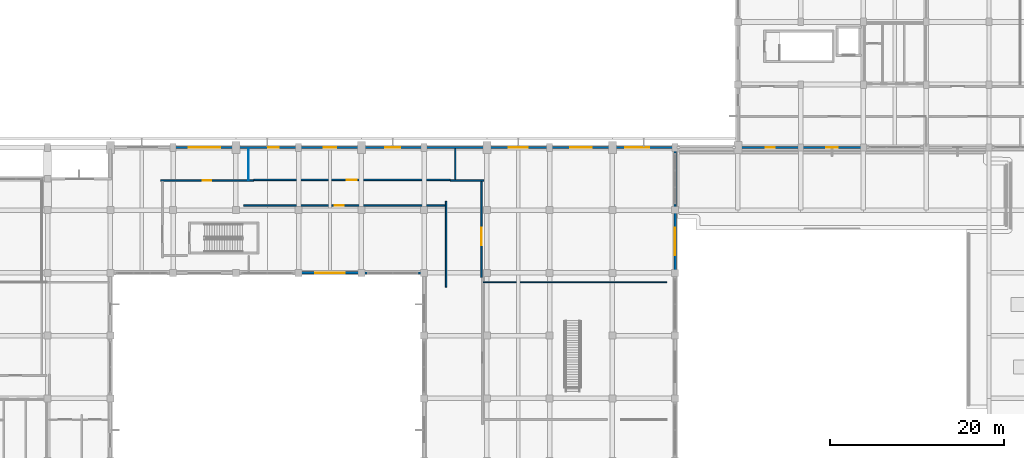
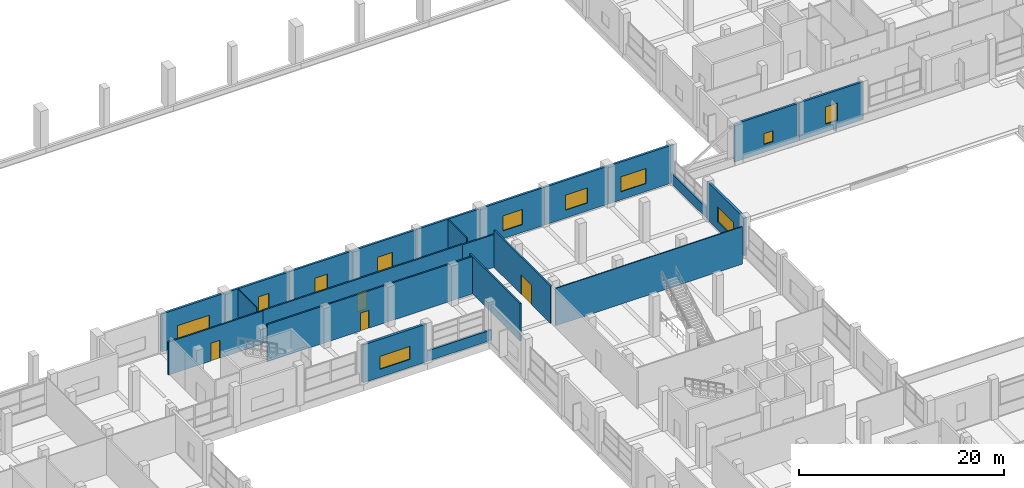
# One storey, part 126 of 140: 23 walls, 11 windows, 4 doors, 15 openings.
"""IFC4 building model written with IfcOpenShell, lengths in metres."""

from ifc_helpers import new_model, si_unit, direction, frame, frame_2d, origin, place, context, subcontext, project, spatial, rectangle, extrude, material, layer, layer_set, type_object, element, fill, save


model = new_model("IFC4")

# Units and contexts
model_context = context("Model", 3, precision=1e-05, world=origin(), true_north=direction((0.0, 1.0)))
body_context = subcontext(model_context, "Body", "Model", "MODEL_VIEW")
ifc_project = project(units=[si_unit("LENGTHUNIT", "METRE"), si_unit("AREAUNIT", "SQUARE_METRE"), si_unit("VOLUMEUNIT", "CUBIC_METRE"), si_unit("PLANEANGLEUNIT", "RADIAN"), si_unit("MASSUNIT", "GRAM", prefix="KILO")], contexts=[model_context])

# Site, building, storey
site_placement = place(None, origin())
site = spatial("IfcSite", under=ifc_project, at=site_placement, CompositionType="ELEMENT")
building_placement = place(site_placement, origin())
building = spatial("IfcBuilding", under=site, at=building_placement, Name="Seraya Terrace Polytechnic", CompositionType="ELEMENT")
storey_placement = place(building_placement, frame((0.0, 0.0, 9.60009765625)))
storey = spatial("IfcBuildingStorey", under=building, at=storey_placement, Name="L02", CompositionType="ELEMENT", Elevation=9.60009765625)

# Wall, opening, window
ifc_material_1 = material(Name="Precast concrete C40/50", Category="concrete")
ifc_layer_1 = layer(ifc_material_1, 0.280029296875, Name="EW-02")
ifc_layer_set_1 = layer_set([ifc_layer_1], Name="Precast concrete C40/50")
wall_type_1 = type_object("IfcWallType", Name="EW-02", PredefinedType="SOLIDWALL", material=ifc_layer_set_1)
wall_1_placement = place(storey_placement, frame((108.0, 72.0, 0.0), z_axis=(0.0, 0.0, 1.0), x_axis=(0.0, -1.0, 0.0)))
wall_1 = element("IfcWall", 1, at=wall_1_placement, inside=storey, type_object=wall_type_1, Name="Exterior structural wall EW-02 L02", PredefinedType="SOLIDWALL", context=body_context, shape_type="SweptSolid", body=[
    extrude(rectangle(XDim=7.199951171875, YDim=0.280029296875, at=frame_2d((3.60009765625, 0.0))), origin(), (0.0, 0.0, 1.0), 4.52001953125),
])
opening_1_placement = place(wall_1_placement, frame((2.02490234375, 0.0, 0.949951171875)))
opening_1 = element("IfcOpeningElement", 2, at=opening_1_placement, cuts=wall_1, Name="Opening WN-34", PredefinedType="OPENING", context=body_context, shape_type="SweptSolid", body=[
    extrude(rectangle(XDim=3.14990234375, YDim=1.800048828125, at=frame_2d((1.574951171875, 0.89990234375))), frame((0.0, 0.15185546875, 0.0), z_axis=(0.0, -1.0, 0.0), x_axis=(1.0, 0.0, 0.0)), (0.0, 0.0, 1.0), 0.303955078125),
])
ifc_material_2 = material(Name="Laminated solar-control Low-E double glazing", Category="glass")
window_type_1 = type_object("IfcWindowType", Name="WN-34", PartitioningType="SINGLE_PANEL", PredefinedType="WINDOW", material=ifc_material_2)
window_1_placement = place(opening_1_placement, origin())
window_1 = element("IfcWindow", 3, at=window_1_placement, inside=storey, type_object=window_type_1, Name="Exterior window WN-34 L02", OverallHeight=1.800048828125, OverallWidth=3.14990234375, PartitioningType="SINGLE_PANEL", PredefinedType="WINDOW", context=body_context, shape_type="SweptSolid", body=[
    extrude(rectangle(XDim=3.14990234375, YDim=1.800048828125, at=frame_2d((1.574951171875, 0.89990234375))), frame((0.0, 0.030029296875, 0.0), z_axis=(0.0, -1.0, 0.0), x_axis=(1.0, 0.0, 0.0)), (0.0, 0.0, 1.0), 0.06005859375),
])
fill(opening_1, window_1)

wall_2_placement = place(storey_placement, frame((72.0, 64.800048828125, 0.0), z_axis=(0.0, 0.0, 1.0), x_axis=(-1.0, 0.0, 0.0)))
wall_2 = element("IfcWall", 4, at=wall_2_placement, inside=storey, type_object=wall_type_1, Name="Exterior structural wall EW-02 L02", PredefinedType="SOLIDWALL", context=body_context, shape_type="SweptSolid", body=[
    extrude(rectangle(XDim=7.199951171875, YDim=0.280029296875, at=frame_2d((3.60009765625, 0.0))), origin(), (0.0, 0.0, 1.0), 4.52001953125),
])
opening_2_placement = place(wall_2_placement, frame((1.925048828125, 0.0, 0.949951171875)))
opening_2 = element("IfcOpeningElement", 5, at=opening_2_placement, cuts=wall_2, Name="Opening WN-25", PredefinedType="OPENING", context=body_context, shape_type="SweptSolid", body=[
    extrude(rectangle(XDim=3.35009765625, YDim=1.550048828125, at=frame_2d((1.675048828125, 0.77490234375))), frame((0.0, 0.15185546875, 0.0), z_axis=(0.0, -1.0, 0.0), x_axis=(1.0, 0.0, 0.0)), (0.0, 0.0, 1.0), 0.303955078125),
])
window_type_2 = type_object("IfcWindowType", Name="WN-25", PartitioningType="SINGLE_PANEL", PredefinedType="WINDOW", material=ifc_material_2)
window_2_placement = place(opening_2_placement, origin())
window_2 = element("IfcWindow", 6, at=window_2_placement, inside=storey, type_object=window_type_2, Name="Exterior window WN-25 L02", OverallHeight=1.550048828125, OverallWidth=3.35009765625, PartitioningType="SINGLE_PANEL", PredefinedType="WINDOW", context=body_context, shape_type="SweptSolid", body=[
    extrude(rectangle(XDim=3.35009765625, YDim=1.550048828125, at=frame_2d((1.675048828125, 0.77490234375))), frame((0.0, 0.030029296875, 0.0), z_axis=(0.0, -1.0, 0.0), x_axis=(1.0, 0.0, 0.0)), (0.0, 0.0, 1.0), 0.06005859375),
])
fill(opening_2, window_2)

ifc_material_3 = material(Name="Concrete C40/50", Category="concrete")
ifc_layer_2 = layer(ifc_material_3, 0.239990234375, Name="EW-04")
ifc_layer_set_2 = layer_set([ifc_layer_2], Name="Concrete C40/50")
wall_type_2 = type_object("IfcWallType", Name="EW-04", PredefinedType="SOLIDWALL", material=ifc_layer_set_2)
wall_3_placement = place(storey_placement, frame((50.39990234375, 79.199951171875, 0.0), z_axis=(0.0, 0.0, 1.0), x_axis=(1.0, 0.0, 0.0)))
wall_3 = element("IfcWall", 7, at=wall_3_placement, inside=storey, type_object=wall_type_2, Name="Exterior structural wall EW-04 L02", PredefinedType="SOLIDWALL", context=body_context, shape_type="SweptSolid", body=[
    extrude(rectangle(XDim=7.2001953125, YDim=0.239990234375, at=frame_2d((3.60009765625, 0.0))), origin(), (0.0, 0.0, 1.0), 4.52001953125),
])
opening_3_placement = place(wall_3_placement, frame((1.800048828125, 0.0, 0.949951171875)))
opening_3 = element("IfcOpeningElement", 8, at=opening_3_placement, cuts=wall_3, Name="Opening WN-26", PredefinedType="OPENING", context=body_context, shape_type="SweptSolid", body=[
    extrude(rectangle(XDim=3.60009765625, YDim=1.550048828125, at=frame_2d((1.800048828125, 0.77490234375))), frame((0.0, 0.1318359375, 0.0), z_axis=(0.0, -1.0, 0.0), x_axis=(1.0, 0.0, 0.0)), (0.0, 0.0, 1.0), 0.263916015625),
])
window_type_3 = type_object("IfcWindowType", Name="WN-26", PartitioningType="SINGLE_PANEL", PredefinedType="WINDOW", material=ifc_material_2)
window_3_placement = place(opening_3_placement, origin())
window_3 = element("IfcWindow", 9, at=window_3_placement, inside=storey, type_object=window_type_3, Name="Exterior window WN-26 L02", OverallHeight=1.550048828125, OverallWidth=3.60009765625, PartitioningType="SINGLE_PANEL", PredefinedType="WINDOW", context=body_context, shape_type="SweptSolid", body=[
    extrude(rectangle(XDim=3.60009765625, YDim=1.550048828125, at=frame_2d((1.800048828125, 0.77490234375))), frame((0.0, 0.030029296875, 0.0), z_axis=(0.0, -1.0, 0.0), x_axis=(1.0, 0.0, 0.0)), (0.0, 0.0, 1.0), 0.06005859375),
])
fill(opening_3, window_3)

wall_4_placement = place(storey_placement, frame((57.60009765625, 79.199951171875, 0.0), z_axis=(0.0, 0.0, 1.0), x_axis=(1.0, 0.0, 0.0)))
wall_4 = element("IfcWall", 10, at=wall_4_placement, inside=storey, type_object=wall_type_2, Name="Exterior structural wall EW-04 L02", PredefinedType="SOLIDWALL", context=body_context, shape_type="SweptSolid", body=[
    extrude(rectangle(XDim=7.199951171875, YDim=0.239990234375, at=frame_2d((3.60009765625, 0.0))), origin(), (0.0, 0.0, 1.0), 4.52001953125),
])
opening_4_placement = place(wall_4_placement, frame((3.716064453125, 0.0, 0.949951171875)))
opening_4 = element("IfcOpeningElement", 11, at=opening_4_placement, cuts=wall_4, Name="Opening WN-27", PredefinedType="OPENING", context=body_context, shape_type="SweptSolid", body=[
    extrude(rectangle(XDim=1.199951171875, YDim=1.800048828125, at=frame_2d((0.60009765625, 0.89990234375))), frame((0.0, 0.1318359375, 0.0), z_axis=(0.0, -1.0, 0.0), x_axis=(1.0, 0.0, 0.0)), (0.0, 0.0, 1.0), 0.263916015625),
])
window_type_4 = type_object("IfcWindowType", Name="WN-27", PartitioningType="SINGLE_PANEL", PredefinedType="WINDOW", material=ifc_material_2)
window_4_placement = place(opening_4_placement, origin())
window_4 = element("IfcWindow", 12, at=window_4_placement, inside=storey, type_object=window_type_4, Name="Exterior window WN-27 L02", OverallHeight=1.800048828125, OverallWidth=1.199951171875, PartitioningType="SINGLE_PANEL", PredefinedType="WINDOW", context=body_context, shape_type="SweptSolid", body=[
    extrude(rectangle(XDim=1.199951171875, YDim=1.800048828125, at=frame_2d((0.60009765625, 0.89990234375))), frame((0.0, 0.030029296875, 0.0), z_axis=(0.0, -1.0, 0.0), x_axis=(1.0, 0.0, 0.0)), (0.0, 0.0, 1.0), 0.06005859375),
])
fill(opening_4, window_4)

wall_5_placement = place(storey_placement, frame((64.800048828125, 79.199951171875, 0.0), z_axis=(0.0, 0.0, 1.0), x_axis=(1.0, 0.0, 0.0)))
wall_5 = element("IfcWall", 13, at=wall_5_placement, inside=storey, type_object=wall_type_2, Name="Exterior structural wall EW-04 L02", PredefinedType="SOLIDWALL", context=body_context, shape_type="SweptSolid", body=[
    extrude(rectangle(XDim=7.199951171875, YDim=0.239990234375, at=frame_2d((3.60009765625, 0.0))), origin(), (0.0, 0.0, 1.0), 4.52001953125),
])
opening_5_placement = place(wall_5_placement, frame((2.875, 0.0, 0.949951171875)))
opening_5 = element("IfcOpeningElement", 14, at=opening_5_placement, cuts=wall_5, Name="Opening WN-28", PredefinedType="OPENING", context=body_context, shape_type="SweptSolid", body=[
    extrude(rectangle(XDim=1.449951171875, YDim=1.800048828125, at=frame_2d((0.72509765625, 0.89990234375))), frame((0.0, 0.1318359375, 0.0), z_axis=(0.0, -1.0, 0.0), x_axis=(1.0, 0.0, 0.0)), (0.0, 0.0, 1.0), 0.263916015625),
])
window_type_5 = type_object("IfcWindowType", Name="WN-28", PartitioningType="SINGLE_PANEL", PredefinedType="WINDOW", material=ifc_material_2)
window_5_placement = place(opening_5_placement, origin())
window_5 = element("IfcWindow", 15, at=window_5_placement, inside=storey, type_object=window_type_5, Name="Exterior window WN-28 L02", OverallHeight=1.800048828125, OverallWidth=1.449951171875, PartitioningType="SINGLE_PANEL", PredefinedType="WINDOW", context=body_context, shape_type="SweptSolid", body=[
    extrude(rectangle(XDim=1.449951171875, YDim=1.800048828125, at=frame_2d((0.72509765625, 0.89990234375))), frame((0.0, 0.030029296875, 0.0), z_axis=(0.0, -1.0, 0.0), x_axis=(1.0, 0.0, 0.0)), (0.0, 0.0, 1.0), 0.06005859375),
])
fill(opening_5, window_5)

wall_6_placement = place(storey_placement, frame((72.0, 79.199951171875, 0.0), z_axis=(0.0, 0.0, 1.0), x_axis=(1.0, 0.0, 0.0)))
wall_6 = element("IfcWall", 16, at=wall_6_placement, inside=storey, type_object=wall_type_2, Name="Exterior structural wall EW-04 L02", PredefinedType="SOLIDWALL", context=body_context, shape_type="SweptSolid", body=[
    extrude(rectangle(XDim=7.199951171875, YDim=0.239990234375, at=frame_2d((3.60009765625, 0.0))), origin(), (0.0, 0.0, 1.0), 4.52001953125),
])
opening_6_placement = place(wall_6_placement, frame((2.75, 0.0, 0.949951171875)))
opening_6 = element("IfcOpeningElement", 17, at=opening_6_placement, cuts=wall_6, Name="Opening WN-29", PredefinedType="OPENING", context=body_context, shape_type="SweptSolid", body=[
    extrude(rectangle(XDim=1.699951171875, YDim=1.800048828125, at=frame_2d((0.85009765625, 0.89990234375))), frame((0.0, 0.1318359375, 0.0), z_axis=(0.0, -1.0, 0.0), x_axis=(1.0, 0.0, 0.0)), (0.0, 0.0, 1.0), 0.263916015625),
])
window_type_6 = type_object("IfcWindowType", Name="WN-29", PartitioningType="SINGLE_PANEL", PredefinedType="WINDOW", material=ifc_material_2)
window_6_placement = place(opening_6_placement, origin())
window_6 = element("IfcWindow", 18, at=window_6_placement, inside=storey, type_object=window_type_6, Name="Exterior window WN-29 L02", OverallHeight=1.800048828125, OverallWidth=1.699951171875, PartitioningType="SINGLE_PANEL", PredefinedType="WINDOW", context=body_context, shape_type="SweptSolid", body=[
    extrude(rectangle(XDim=1.699951171875, YDim=1.800048828125, at=frame_2d((0.85009765625, 0.89990234375))), frame((0.0, 0.030029296875, 0.0), z_axis=(0.0, -1.0, 0.0), x_axis=(1.0, 0.0, 0.0)), (0.0, 0.0, 1.0), 0.06005859375),
])
fill(opening_6, window_6)

# Wall
wall_7_placement = place(storey_placement, frame((79.199951171875, 79.199951171875, 0.0), z_axis=(0.0, 0.0, 1.0), x_axis=(1.0, 0.0, 0.0)))
element("IfcWall", 19, at=wall_7_placement, inside=storey, type_object=wall_type_2, Name="Exterior structural wall EW-04 L02", PredefinedType="SOLIDWALL", context=body_context, shape_type="SweptSolid", body=[
    extrude(rectangle(XDim=7.199951171875, YDim=0.239990234375, at=frame_2d((3.60009765625, 0.0))), origin(), (0.0, 0.0, 1.0), 4.52001953125),
])

# Wall, opening, window
wall_8_placement = place(storey_placement, frame((86.39990234375, 79.199951171875, 0.0), z_axis=(0.0, 0.0, 1.0), x_axis=(1.0, 0.0, 0.0)))
wall_8 = element("IfcWall", 20, at=wall_8_placement, inside=storey, type_object=wall_type_2, Name="Exterior structural wall EW-04 L02", PredefinedType="SOLIDWALL", context=body_context, shape_type="SweptSolid", body=[
    extrude(rectangle(XDim=7.2001953125, YDim=0.239990234375, at=frame_2d((3.60009765625, 0.0))), origin(), (0.0, 0.0, 1.0), 4.52001953125),
])
opening_7_placement = place(wall_8_placement, frame((2.5, 0.0, 0.949951171875)))
opening_7 = element("IfcOpeningElement", 21, at=opening_7_placement, cuts=wall_8, Name="Opening WN-31", PredefinedType="OPENING", context=body_context, shape_type="SweptSolid", body=[
    extrude(rectangle(XDim=2.199951171875, YDim=1.800048828125, at=frame_2d((1.10009765625, 0.89990234375))), frame((0.0, 0.1318359375, 0.0), z_axis=(0.0, -1.0, 0.0), x_axis=(1.0, 0.0, 0.0)), (0.0, 0.0, 1.0), 0.263916015625),
])
window_type_7 = type_object("IfcWindowType", Name="WN-31", PartitioningType="SINGLE_PANEL", PredefinedType="WINDOW", material=ifc_material_2)
window_7_placement = place(opening_7_placement, origin())
window_7 = element("IfcWindow", 22, at=window_7_placement, inside=storey, type_object=window_type_7, Name="Exterior window WN-31 L02", OverallHeight=1.800048828125, OverallWidth=2.199951171875, PartitioningType="SINGLE_PANEL", PredefinedType="WINDOW", context=body_context, shape_type="SweptSolid", body=[
    extrude(rectangle(XDim=2.199951171875, YDim=1.800048828125, at=frame_2d((1.10009765625, 0.89990234375))), frame((0.0, 0.030029296875, 0.0), z_axis=(0.0, -1.0, 0.0), x_axis=(1.0, 0.0, 0.0)), (0.0, 0.0, 1.0), 0.06005859375),
])
fill(opening_7, window_7)

wall_9_placement = place(storey_placement, frame((93.60009765625, 79.199951171875, 0.0), z_axis=(0.0, 0.0, 1.0), x_axis=(1.0, 0.0, 0.0)))
wall_9 = element("IfcWall", 23, at=wall_9_placement, inside=storey, type_object=wall_type_2, Name="Exterior structural wall EW-04 L02", PredefinedType="SOLIDWALL", context=body_context, shape_type="SweptSolid", body=[
    extrude(rectangle(XDim=7.199951171875, YDim=0.239990234375, at=frame_2d((3.60009765625, 0.0))), origin(), (0.0, 0.0, 1.0), 4.52001953125),
])
opening_8_placement = place(wall_9_placement, frame((2.35009765625, 0.0, 0.949951171875)))
opening_8 = element("IfcOpeningElement", 24, at=opening_8_placement, cuts=wall_9, Name="Opening WN-32", PredefinedType="OPENING", context=body_context, shape_type="SweptSolid", body=[
    extrude(rectangle(XDim=2.5, YDim=1.800048828125, at=frame_2d((1.25, 0.89990234375))), frame((0.0, 0.1318359375, 0.0), z_axis=(0.0, -1.0, 0.0), x_axis=(1.0, 0.0, 0.0)), (0.0, 0.0, 1.0), 0.263916015625),
])
window_type_8 = type_object("IfcWindowType", Name="WN-32", PartitioningType="SINGLE_PANEL", PredefinedType="WINDOW", material=ifc_material_2)
window_8_placement = place(opening_8_placement, origin())
window_8 = element("IfcWindow", 25, at=window_8_placement, inside=storey, type_object=window_type_8, Name="Exterior window WN-32 L02", OverallHeight=1.800048828125, OverallWidth=2.5, PartitioningType="SINGLE_PANEL", PredefinedType="WINDOW", context=body_context, shape_type="SweptSolid", body=[
    extrude(rectangle(XDim=2.5, YDim=1.800048828125, at=frame_2d((1.25, 0.89990234375))), frame((0.0, 0.030029296875, 0.0), z_axis=(0.0, -1.0, 0.0), x_axis=(1.0, 0.0, 0.0)), (0.0, 0.0, 1.0), 0.06005859375),
])
fill(opening_8, window_8)

wall_10_placement = place(storey_placement, frame((100.800048828125, 79.199951171875, 0.0), z_axis=(0.0, 0.0, 1.0), x_axis=(1.0, 0.0, 0.0)))
wall_10 = element("IfcWall", 26, at=wall_10_placement, inside=storey, type_object=wall_type_2, Name="Exterior structural wall EW-04 L02", PredefinedType="SOLIDWALL", context=body_context, shape_type="SweptSolid", body=[
    extrude(rectangle(XDim=7.349853515625, YDim=0.239990234375, at=frame_2d((3.6748046875, 0.0))), origin(), (0.0, 0.0, 1.0), 4.52001953125),
])
opening_9_placement = place(wall_10_placement, frame((1.451904296875, 0.0, 0.949951171875)))
opening_9 = element("IfcOpeningElement", 27, at=opening_9_placement, cuts=wall_10, Name="Opening WN-33", PredefinedType="OPENING", context=body_context, shape_type="SweptSolid", body=[
    extrude(rectangle(XDim=2.800048828125, YDim=1.800048828125, at=frame_2d((1.39990234375, 0.89990234375))), frame((0.0, 0.1318359375, 0.0), z_axis=(0.0, -1.0, 0.0), x_axis=(1.0, 0.0, 0.0)), (0.0, 0.0, 1.0), 0.263916015625),
])
window_type_9 = type_object("IfcWindowType", Name="WN-33", PartitioningType="SINGLE_PANEL", PredefinedType="WINDOW", material=ifc_material_2)
window_9_placement = place(opening_9_placement, origin())
window_9 = element("IfcWindow", 28, at=window_9_placement, inside=storey, type_object=window_type_9, Name="Exterior window WN-33 L02", OverallHeight=1.800048828125, OverallWidth=2.800048828125, PartitioningType="SINGLE_PANEL", PredefinedType="WINDOW", context=body_context, shape_type="SweptSolid", body=[
    extrude(rectangle(XDim=2.800048828125, YDim=1.800048828125, at=frame_2d((1.39990234375, 0.89990234375))), frame((0.0, 0.030029296875, 0.0), z_axis=(0.0, -1.0, 0.0), x_axis=(1.0, 0.0, 0.0)), (0.0, 0.0, 1.0), 0.06005859375),
])
fill(opening_9, window_9)

wall_11_placement = place(storey_placement, frame((129.60009765625, 79.199951171875, 0.0), z_axis=(0.0, 0.0, 1.0), x_axis=(-1.0, 0.0, 0.0)))
wall_11 = element("IfcWall", 29, at=wall_11_placement, inside=storey, type_object=wall_type_2, Name="Exterior structural wall EW-04 L02", PredefinedType="SOLIDWALL", context=body_context, shape_type="SweptSolid", body=[
    extrude(rectangle(XDim=7.2001953125, YDim=0.239990234375, at=frame_2d((3.60009765625, 0.0))), origin(), (0.0, 0.0, 1.0), 4.52001953125),
])
opening_10_placement = place(wall_11_placement, frame((2.925048828125, 0.0, 0.949951171875)))
opening_10 = element("IfcOpeningElement", 30, at=opening_10_placement, cuts=wall_11, Name="Opening WN-38", PredefinedType="OPENING", context=body_context, shape_type="SweptSolid", body=[
    extrude(rectangle(XDim=1.35009765625, YDim=2.050048828125, at=frame_2d((0.675048828125, 1.02490234375))), frame((0.0, 0.1318359375, 0.0), z_axis=(0.0, -1.0, 0.0), x_axis=(1.0, 0.0, 0.0)), (0.0, 0.0, 1.0), 0.263916015625),
])
window_type_10 = type_object("IfcWindowType", Name="WN-38", PartitioningType="SINGLE_PANEL", PredefinedType="WINDOW", material=ifc_material_2)
window_10_placement = place(opening_10_placement, origin())
window_10 = element("IfcWindow", 31, at=window_10_placement, inside=storey, type_object=window_type_10, Name="Exterior window WN-38 L02", OverallHeight=2.050048828125, OverallWidth=1.35009765625, PartitioningType="SINGLE_PANEL", PredefinedType="WINDOW", context=body_context, shape_type="SweptSolid", body=[
    extrude(rectangle(XDim=1.35009765625, YDim=2.050048828125, at=frame_2d((0.675048828125, 1.02490234375))), frame((0.0, 0.030029296875, 0.0), z_axis=(0.0, -1.0, 0.0), x_axis=(1.0, 0.0, 0.0)), (0.0, 0.0, 1.0), 0.06005859375),
])
fill(opening_10, window_10)

wall_12_placement = place(storey_placement, frame((122.39990234375, 79.199951171875, 0.0), z_axis=(0.0, 0.0, 1.0), x_axis=(-1.0, 0.0, 0.0)))
wall_12 = element("IfcWall", 32, at=wall_12_placement, inside=storey, type_object=wall_type_2, Name="Exterior structural wall EW-04 L02", PredefinedType="SOLIDWALL", context=body_context, shape_type="SweptSolid", body=[
    extrude(rectangle(XDim=7.349853515625, YDim=0.239990234375, at=frame_2d((3.6748046875, 0.0))), origin(), (0.0, 0.0, 1.0), 4.52001953125),
])
opening_11_placement = place(wall_12_placement, frame((3.0, 0.0, 0.949951171875)))
opening_11 = element("IfcOpeningElement", 33, at=opening_11_placement, cuts=wall_12, Name="Opening WN-01", PredefinedType="OPENING", context=body_context, shape_type="SweptSolid", body=[
    extrude(rectangle(XDim=1.0, YDim=1.300048828125, at=frame_2d((0.5, 0.64990234375))), frame((0.0, 0.1318359375, 0.0), z_axis=(0.0, -1.0, 0.0), x_axis=(1.0, 0.0, 0.0)), (0.0, 0.0, 1.0), 0.263916015625),
])
window_type_11 = type_object("IfcWindowType", Name="WN-01", PartitioningType="SINGLE_PANEL", PredefinedType="WINDOW", material=ifc_material_2)
window_11_placement = place(opening_11_placement, origin())
window_11 = element("IfcWindow", 34, at=window_11_placement, inside=storey, type_object=window_type_11, Name="Exterior window WN-01 L02", OverallHeight=1.300048828125, OverallWidth=1.0, PartitioningType="SINGLE_PANEL", PredefinedType="WINDOW", context=body_context, shape_type="SweptSolid", body=[
    extrude(rectangle(XDim=1.0, YDim=1.300048828125, at=frame_2d((0.5, 0.64990234375))), frame((0.0, 0.030029296875, 0.0), z_axis=(0.0, -1.0, 0.0), x_axis=(1.0, 0.0, 0.0)), (0.0, 0.0, 1.0), 0.06005859375),
])
fill(opening_11, window_11)

# Walls
ifc_layer_3 = layer(ifc_material_1, 0.219970703125, Name="EW-05")
ifc_layer_set_3 = layer_set([ifc_layer_3], Name="Precast concrete C40/50")
wall_type_3 = type_object("IfcWallType", Name="EW-05", PredefinedType="SOLIDWALL", material=ifc_layer_set_3)
wall_13_placement = place(storey_placement, frame((108.0, 79.048095703125, 0.0), z_axis=(0.0, 0.0, 1.0), x_axis=(0.0, -1.0, 0.0)))
element("IfcWall", 35, at=wall_13_placement, inside=storey, type_object=wall_type_3, Name="Precast spandrel wall L02", PredefinedType="SOLIDWALL", context=body_context, shape_type="SweptSolid", body=[
    extrude(rectangle(XDim=7.048095703125, YDim=0.219970703125, at=frame_2d((3.52392578125, 0.0))), origin(), (0.0, 0.0, 1.0), 1.239990234375),
])
wall_14_placement = place(storey_placement, frame((79.35009765625, 64.800048828125, 0.0), z_axis=(0.0, 0.0, 1.0), x_axis=(-1.0, 0.0, 0.0)))
element("IfcWall", 36, at=wall_14_placement, inside=storey, type_object=wall_type_3, Name="Precast spandrel wall L02", PredefinedType="SOLIDWALL", context=body_context, shape_type="SweptSolid", body=[
    extrude(rectangle(XDim=7.35009765625, YDim=0.219970703125, at=frame_2d((3.675048828125, 0.0))), origin(), (0.0, 0.0, 1.0), 1.239990234375),
])
ifc_material_4 = material(Name="Autoclaved aerated concrete blockwork", Category="masonry")
ifc_layer_4 = layer(ifc_material_4, 0.169921875, Name="PT-02")
ifc_layer_set_4 = layer_set([ifc_layer_4], Name="Autoclaved aerated concrete blockwork")
wall_type_4 = type_object("IfcWallType", Name="PT-02", PredefinedType="PARTITIONING", material=ifc_layer_set_4)
wall_15_placement = place(storey_placement, frame((81.72998046875, 63.16796875, 0.0), z_axis=(0.0, 0.0, 1.0), x_axis=(0.0, 1.0, 0.0)))
element("IfcWall", 37, at=wall_15_placement, inside=storey, type_object=wall_type_4, Name="Internal partition PT-02 L02", PredefinedType="PARTITIONING", context=body_context, shape_type="SweptSolid", body=[
    extrude(rectangle(XDim=9.85205078125, YDim=0.169921875, at=frame_2d((4.926025390625, 0.0))), origin(), (0.0, 0.0, 1.0), 4.4599609375),
])
wall_16_placement = place(storey_placement, frame((82.196533203125, 75.39990234375, 0.0), z_axis=(0.0, 0.0, 1.0), x_axis=(1.0, 0.0, 0.0)))
element("IfcWall", 38, at=wall_16_placement, inside=storey, type_object=wall_type_4, Name="Internal partition PT-02 L02", PredefinedType="PARTITIONING", context=body_context, shape_type="SweptSolid", body=[
    extrude(rectangle(XDim=3.843505859375, YDim=0.169921875, at=frame_2d((1.921875, 0.0))), origin(), (0.0, 0.0, 1.0), 3.929931640625),
])

# Wall, opening, door
wall_17_placement = place(storey_placement, frame((85.800048828125, 64.2880859375, 0.0), z_axis=(0.0, 0.0, 1.0), x_axis=(0.0, 1.0, 0.0)))
wall_17 = element("IfcWall", 39, at=wall_17_placement, inside=storey, type_object=wall_type_4, Name="Internal partition PT-02 L02", PredefinedType="PARTITIONING", context=body_context, shape_type="SweptSolid", body=[
    extrude(rectangle(XDim=11.011962890625, YDim=0.169921875, at=frame_2d((5.505859375, 0.0))), origin(), (0.0, 0.0, 1.0), 4.4599609375),
])
opening_12_placement = place(wall_17_placement, frame((3.68603515625, 0.0, 0.0)))
opening_12 = element("IfcOpeningElement", 40, at=opening_12_placement, cuts=wall_17, Name="Opening ID-17", PredefinedType="OPENING", context=body_context, shape_type="SweptSolid", body=[
    extrude(rectangle(XDim=2.0400390625, YDim=2.340087890625, at=frame_2d((1.02001953125, 1.169921875))), frame((0.0, 0.096923828125, 0.0), z_axis=(0.0, -1.0, 0.0), x_axis=(1.0, 0.0, 0.0)), (0.0, 0.0, 1.0), 0.19384765625),
])
ifc_material_5 = material(Name="Malaysian dark red meranti hardwood timber D40", Category="wood")
door_type_1 = type_object("IfcDoorType", Name="ID-17", OperationType="DOUBLE_DOOR_SINGLE_SWING", PredefinedType="DOOR", material=ifc_material_5)
door_1_placement = place(opening_12_placement, origin())
door_1 = element("IfcDoor", 41, at=door_1_placement, inside=storey, type_object=door_type_1, Name="Door ID-17 DR-INT-L02-0142 in WL-INT-L02-0458", OperationType="DOUBLE_DOOR_SINGLE_SWING", OverallHeight=2.340087890625, OverallWidth=2.0400390625, PredefinedType="DOOR", context=body_context, shape_type="SweptSolid", body=[
    extrude(rectangle(XDim=2.0400390625, YDim=2.340087890625, at=frame_2d((1.02001953125, 1.169921875))), frame((0.0, 0.02490234375, 0.0), z_axis=(0.0, -1.0, 0.0), x_axis=(1.0, 0.0, 0.0)), (0.0, 0.0, 1.0), 0.050048828125),
])
fill(opening_12, door_1)

wall_18_placement = place(storey_placement, frame((48.9599609375, 75.39990234375, 0.0), z_axis=(0.0, 0.0, 1.0), x_axis=(1.0, 0.0, 0.0)))
wall_18 = element("IfcWall", 42, at=wall_18_placement, inside=storey, type_object=wall_type_4, Name="Internal partition PT-02 L02", PredefinedType="PARTITIONING", context=body_context, shape_type="SweptSolid", body=[
    extrude(rectangle(XDim=10.66357421875, YDim=0.169921875, at=frame_2d((5.331787109375, 0.0))), origin(), (0.0, 0.0, 1.0), 3.929931640625),
])
opening_13_placement = place(wall_18_placement, frame((4.841796875, 0.0, 0.0)))
opening_13 = element("IfcOpeningElement", 43, at=opening_13_placement, cuts=wall_18, Name="Opening ID-03", PredefinedType="OPENING", context=body_context, shape_type="SweptSolid", body=[
    extrude(rectangle(XDim=0.97998046875, YDim=2.139892578125, at=frame_2d((0.489990234375, 1.06982421875))), frame((0.0, 0.096923828125, 0.0), z_axis=(0.0, -1.0, 0.0), x_axis=(1.0, 0.0, 0.0)), (0.0, 0.0, 1.0), 0.19384765625),
])
door_type_2 = type_object("IfcDoorType", Name="ID-03", OperationType="NOTDEFINED", PredefinedType="DOOR", material=ifc_material_5)
door_2_placement = place(opening_13_placement, origin())
door_2 = element("IfcDoor", 44, at=door_2_placement, inside=storey, type_object=door_type_2, Name="Door ID-03 DR-INT-L02-0144 in WL-INT-L02-0461", OperationType="SINGLE_SWING_LEFT", OverallHeight=2.139892578125, OverallWidth=0.97998046875, PredefinedType="DOOR", context=body_context, shape_type="SweptSolid", body=[
    extrude(rectangle(XDim=0.97998046875, YDim=2.139892578125, at=frame_2d((0.489990234375, 1.06982421875))), frame((0.0, 0.02490234375, 0.0), z_axis=(0.0, -1.0, 0.0), x_axis=(1.0, 0.0, 0.0)), (0.0, 0.0, 1.0), 0.050048828125),
])
fill(opening_13, door_2)

wall_19_placement = place(storey_placement, frame((58.491943359375, 72.530029296875, 0.0), z_axis=(0.0, 0.0, 1.0), x_axis=(1.0, 0.0, 0.0)))
wall_19 = element("IfcWall", 45, at=wall_19_placement, inside=storey, type_object=wall_type_4, Name="Internal partition PT-02 L02", PredefinedType="PARTITIONING", context=body_context, shape_type="SweptSolid", body=[
    extrude(rectangle(XDim=23.137939453125, YDim=0.169921875, at=frame_2d((11.56884765625, 0.0))), origin(), (0.0, 0.0, 1.0), 4.4599609375),
])
opening_14_placement = place(wall_19_placement, frame((10.47900390625, 0.0, 0.0)))
opening_14 = element("IfcOpeningElement", 46, at=opening_14_placement, cuts=wall_19, Name="Opening ID-03", PredefinedType="OPENING", context=body_context, shape_type="SweptSolid", body=[
    extrude(rectangle(XDim=0.97998046875, YDim=2.139892578125, at=frame_2d((0.489990234375, 1.06982421875))), frame((0.0, 0.096923828125, 0.0), z_axis=(0.0, -1.0, 0.0), x_axis=(1.0, 0.0, 0.0)), (0.0, 0.0, 1.0), 0.19384765625),
])
door_3_placement = place(opening_14_placement, origin())
door_3 = element("IfcDoor", 47, at=door_3_placement, inside=storey, type_object=door_type_2, Name="Door ID-03 DR-INT-L02-0160 in WL-INT-L02-0463", OperationType="SINGLE_SWING_LEFT", OverallHeight=2.139892578125, OverallWidth=0.97998046875, PredefinedType="DOOR", context=body_context, shape_type="SweptSolid", body=[
    extrude(rectangle(XDim=0.97998046875, YDim=2.139892578125, at=frame_2d((0.489990234375, 1.06982421875))), frame((0.0, 0.02490234375, 0.0), z_axis=(0.0, -1.0, 0.0), x_axis=(1.0, 0.0, 0.0)), (0.0, 0.0, 1.0), 0.050048828125),
])
fill(opening_14, door_3)

wall_20_placement = place(storey_placement, frame((59.62353515625, 75.469970703125, 0.0), z_axis=(0.0, 0.0, 1.0), x_axis=(1.0, 0.0, 0.0)))
wall_20 = element("IfcWall", 48, at=wall_20_placement, inside=storey, type_object=wall_type_4, Name="Internal partition PT-02 L02", PredefinedType="PARTITIONING", context=body_context, shape_type="SweptSolid", body=[
    extrude(rectangle(XDim=22.572998046875, YDim=0.169921875, at=frame_2d((11.28662109375, 0.0))), origin(), (0.0, 0.0, 1.0), 3.929931640625),
])
opening_15_placement = place(wall_20_placement, frame((10.716552734375, 0.0, 0.0)))
opening_15 = element("IfcOpeningElement", 49, at=opening_15_placement, cuts=wall_20, Name="Opening ID-06", PredefinedType="OPENING", context=body_context, shape_type="SweptSolid", body=[
    extrude(rectangle(XDim=1.139892578125, YDim=2.199951171875, at=frame_2d((0.56982421875, 1.10009765625))), frame((0.0, 0.096923828125, 0.0), z_axis=(0.0, -1.0, 0.0), x_axis=(1.0, 0.0, 0.0)), (0.0, 0.0, 1.0), 0.19384765625),
])
door_type_3 = type_object("IfcDoorType", Name="ID-06", OperationType="NOTDEFINED", PredefinedType="DOOR", material=ifc_material_5)
door_4_placement = place(opening_15_placement, frame((1.139892578125, 0.0, 0.0), z_axis=(0.0, 0.0, 1.0), x_axis=(-1.0, 0.0, 0.0)))
door_4 = element("IfcDoor", 50, at=door_4_placement, inside=storey, type_object=door_type_3, Name="Door ID-06 DR-INT-L02-0131 in WL-INT-L02-0464", OperationType="SINGLE_SWING_RIGHT", OverallHeight=2.199951171875, OverallWidth=1.139892578125, PredefinedType="DOOR", context=body_context, shape_type="SweptSolid", body=[
    extrude(rectangle(XDim=1.139892578125, YDim=2.199951171875, at=frame_2d((0.56982421875, 1.10009765625))), frame((0.0, 0.02490234375, 0.0), z_axis=(0.0, -1.0, 0.0), x_axis=(1.0, 0.0, 0.0)), (0.0, 0.0, 1.0), 0.050048828125),
])
fill(opening_15, door_4)

# Walls
ifc_layer_5 = layer(ifc_material_4, 0.1201171875, Name="PT-05")
ifc_layer_set_5 = layer_set([ifc_layer_5], Name="Autoclaved aerated concrete blockwork")
wall_type_5 = type_object("IfcWallType", Name="PT-05", PredefinedType="PARTITIONING", material=ifc_layer_set_5)
wall_21_placement = place(storey_placement, frame((82.76806640625, 75.5, 0.0), z_axis=(0.0, 0.0, 1.0), x_axis=(0.0, 1.0, 0.0)))
element("IfcWall", 51, at=wall_21_placement, inside=storey, type_object=wall_type_5, Name="Internal partition PT-05 L02", PredefinedType="PARTITIONING", context=body_context, shape_type="SweptSolid", body=[
    extrude(rectangle(XDim=3.568115234375, YDim=0.1201171875, at=frame_2d((1.7841796875, 0.0))), origin(), (0.0, 0.0, 1.0), 4.4599609375),
])
wall_22_placement = place(storey_placement, frame((85.969970703125, 63.72802734375, 0.0), z_axis=(0.0, 0.0, 1.0), x_axis=(1.0, 0.0, 0.0)))
element("IfcWall", 52, at=wall_22_placement, inside=storey, type_object=wall_type_5, Name="Internal partition PT-05 L02", PredefinedType="PARTITIONING", context=body_context, shape_type="SweptSolid", body=[
    extrude(rectangle(XDim=21.073974609375, YDim=0.1201171875, at=frame_2d((10.537109375, 0.0))), origin(), (0.0, 0.0, 1.0), 4.4599609375),
])
ifc_layer_6 = layer(ifc_material_4, 0.10009765625, Name="PT-06")
ifc_layer_set_6 = layer_set([ifc_layer_6], Name="Autoclaved aerated concrete blockwork")
wall_type_6 = type_object("IfcWallType", Name="PT-06", PredefinedType="PARTITIONING", material=ifc_layer_set_6)
wall_23_placement = place(storey_placement, frame((59.052001953125, 75.5, 0.0), z_axis=(0.0, 0.0, 1.0), x_axis=(0.0, 1.0, 0.0)))
element("IfcWall", 53, at=wall_23_placement, inside=storey, type_object=wall_type_6, Name="Internal partition PT-06 L02", PredefinedType="PARTITIONING", context=body_context, shape_type="SweptSolid", body=[
    extrude(rectangle(XDim=3.568115234375, YDim=0.10009765625, at=frame_2d((1.7841796875, 0.0))), origin(), (0.0, 0.0, 1.0), 4.4599609375),
])

save(model, "model.ifc")
